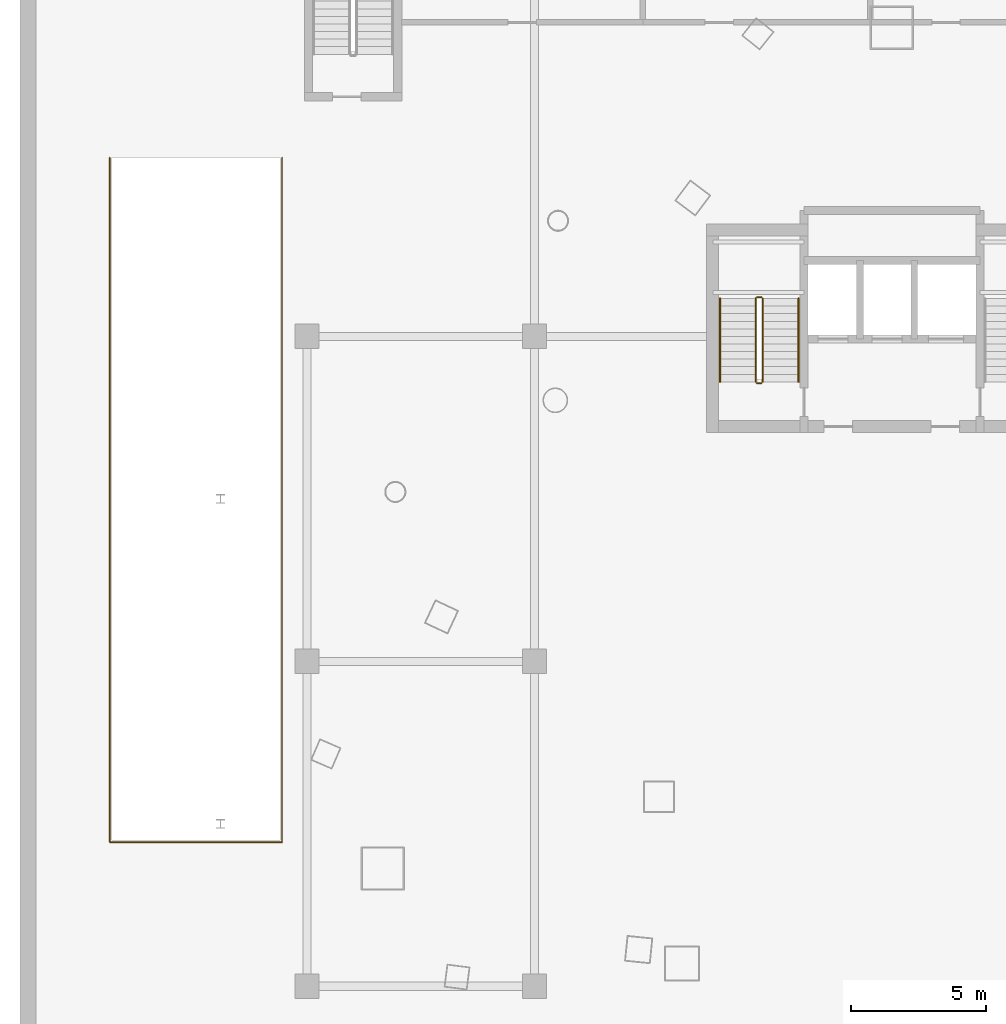
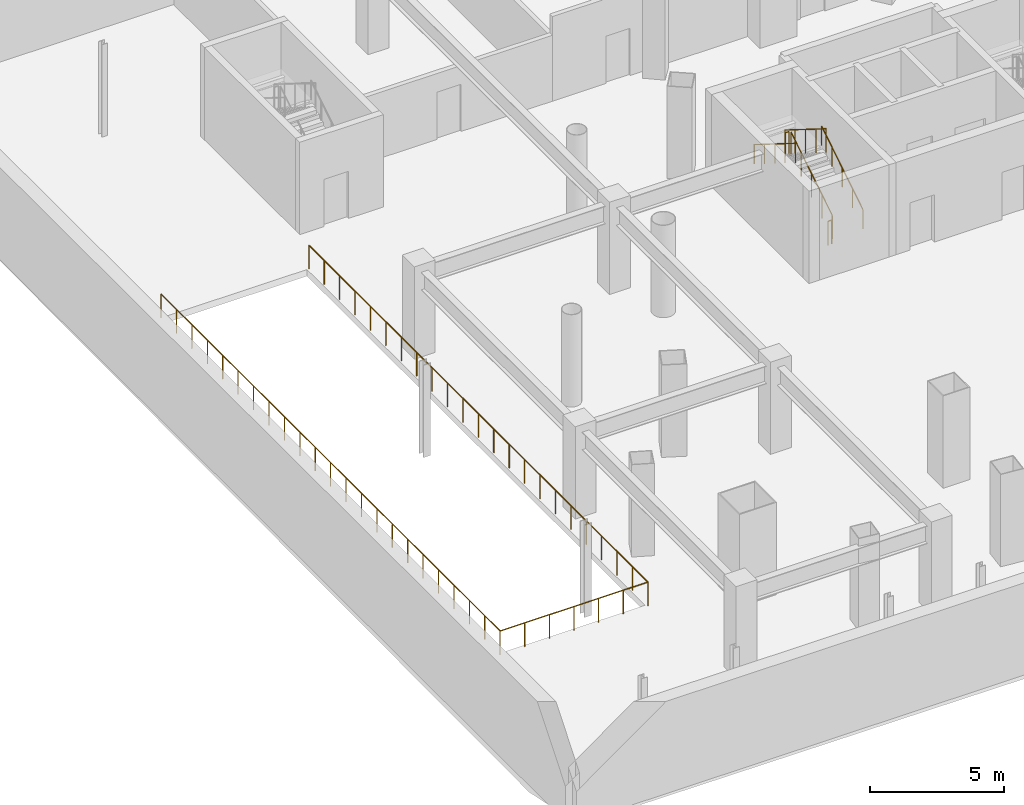
# One storey, part 7 of 10: 7 railings.
"""IFC4 building model written with IfcOpenShell, lengths in metres."""

from ifc_helpers import new_model, si_unit, direction, frame, origin, origin_2d, place, context, subcontext, project, spatial, circle, extrude, material, type_object, element, save


model = new_model("IFC4")

# Units and contexts
model_context = context("Model", 3, precision=1e-05, world=origin(), true_north=direction((0.0, 1.0)))
body_context = subcontext(model_context, "Body", "Model", "MODEL_VIEW")
ifc_project = project(units=[si_unit("LENGTHUNIT", "METRE"), si_unit("AREAUNIT", "SQUARE_METRE"), si_unit("VOLUMEUNIT", "CUBIC_METRE"), si_unit("PLANEANGLEUNIT", "RADIAN"), si_unit("MASSUNIT", "GRAM", prefix="KILO")], contexts=[model_context])

# Site, building, storey
site_placement = place(None, origin())
site = spatial("IfcSite", under=ifc_project, at=site_placement, CompositionType="ELEMENT")
building_placement = place(site_placement, origin())
building = spatial("IfcBuilding", under=site, at=building_placement, Name="Orvanel Arch Residences", CompositionType="ELEMENT")
storey_placement = place(building_placement, frame((0.0, 0.0, -4.199951171875)))
storey = spatial("IfcBuildingStorey", under=building, at=storey_placement, Name="B01", CompositionType="ELEMENT", Elevation=-4.199951171875)

# Railings
ifc_material = material(Name="Structural steel AS/NZS 1163 C350L0 (Grade 350)", Category="steel")
railing_type_1 = type_object("IfcRailingType", Name="RL-RMP-1100", PredefinedType="GUARDRAIL", material=ifc_material)
railing_1_placement = place(storey_placement, frame((4.1201171875, 36.60009765625, 0.0)))
element("IfcRailing", 1, at=railing_1_placement, inside=storey, type_object=railing_type_1, Name="B01 Vehicle Ramp Deck Opening Guardrail", PredefinedType="GUARDRAIL", context=body_context, shape_type="SweptSolid", body=[
    extrude(circle(Radius=0.02392578125, at=origin_2d()), frame((0.0, -0.00146484375, 1.076171875), z_axis=(0.0, -1.0, 0.0), x_axis=(1.0, 0.0, 0.0)), (0.0, 0.0, 1.0), 25.277099609375),
    extrude(circle(Radius=0.02392578125, at=origin_2d()), frame((0.00146484375, -25.280029296875, 1.076171875), z_axis=(1.0, 0.0, 0.0), x_axis=(0.0, 1.0, 0.0)), (0.0, 0.0, 1.0), 6.35693359375),
    extrude(circle(Radius=0.02392578125, at=origin_2d()), frame((6.35986328125, -25.278564453125, 1.076171875), z_axis=(0.0, 1.0, 0.0), x_axis=(-1.0, 0.0, 0.0)), (0.0, 0.0, 1.0), 25.277099609375),
    extrude(circle(Radius=0.02099609375, at=origin_2d()), origin(), (0.0, 0.0, 1.0), 1.050048828125),
    extrude(circle(Radius=0.02099609375, at=origin_2d()), frame((0.0, -1.149169921875, 0.0)), (0.0, 0.0, 1.0), 1.050048828125),
    extrude(circle(Radius=0.02099609375, at=origin_2d()), frame((0.0, -2.298095703125, 0.0)), (0.0, 0.0, 1.0), 1.050048828125),
    extrude(circle(Radius=0.02099609375, at=origin_2d()), frame((0.0, -3.447265625, 0.0)), (0.0, 0.0, 1.0), 1.050048828125),
    extrude(circle(Radius=0.02099609375, at=origin_2d()), frame((0.0, -4.596435546875, 0.0)), (0.0, 0.0, 1.0), 1.050048828125),
    extrude(circle(Radius=0.02099609375, at=origin_2d()), frame((0.0, -5.745361328125, 0.0)), (0.0, 0.0, 1.0), 1.050048828125),
    extrude(circle(Radius=0.02099609375, at=origin_2d()), frame((0.0, -6.89453125, 0.0)), (0.0, 0.0, 1.0), 1.050048828125),
    extrude(circle(Radius=0.02099609375, at=origin_2d()), frame((0.0, -8.043701171875, 0.0)), (0.0, 0.0, 1.0), 1.050048828125),
    extrude(circle(Radius=0.02099609375, at=origin_2d()), frame((0.0, -9.192626953125, 0.0)), (0.0, 0.0, 1.0), 1.050048828125),
    extrude(circle(Radius=0.02099609375, at=origin_2d()), frame((0.0, -10.341796875, 0.0)), (0.0, 0.0, 1.0), 1.050048828125),
    extrude(circle(Radius=0.02099609375, at=origin_2d()), frame((0.0, -11.490966796875, 0.0)), (0.0, 0.0, 1.0), 1.050048828125),
    extrude(circle(Radius=0.02099609375, at=origin_2d()), frame((0.0, -12.64013671875, 0.0)), (0.0, 0.0, 1.0), 1.050048828125),
    extrude(circle(Radius=0.02099609375, at=origin_2d()), frame((0.0, -13.7890625, 0.0)), (0.0, 0.0, 1.0), 1.050048828125),
    extrude(circle(Radius=0.02099609375, at=origin_2d()), frame((0.0, -14.938232421875, 0.0)), (0.0, 0.0, 1.0), 1.050048828125),
    extrude(circle(Radius=0.02099609375, at=origin_2d()), frame((0.0, -16.08740234375, 0.0)), (0.0, 0.0, 1.0), 1.050048828125),
    extrude(circle(Radius=0.02099609375, at=origin_2d()), frame((0.0, -17.236328125, 0.0)), (0.0, 0.0, 1.0), 1.050048828125),
    extrude(circle(Radius=0.02099609375, at=origin_2d()), frame((0.0, -18.385498046875, 0.0)), (0.0, 0.0, 1.0), 1.050048828125),
    extrude(circle(Radius=0.02099609375, at=origin_2d()), frame((0.0, -19.53466796875, 0.0)), (0.0, 0.0, 1.0), 1.050048828125),
    extrude(circle(Radius=0.02099609375, at=origin_2d()), frame((0.0, -20.68359375, 0.0)), (0.0, 0.0, 1.0), 1.050048828125),
    extrude(circle(Radius=0.02099609375, at=origin_2d()), frame((0.0, -21.832763671875, 0.0)), (0.0, 0.0, 1.0), 1.050048828125),
    extrude(circle(Radius=0.02099609375, at=origin_2d()), frame((0.0, -22.98193359375, 0.0)), (0.0, 0.0, 1.0), 1.050048828125),
    extrude(circle(Radius=0.02099609375, at=origin_2d()), frame((0.0, -24.130859375, 0.0)), (0.0, 0.0, 1.0), 1.050048828125),
    extrude(circle(Radius=0.02099609375, at=origin_2d()), frame((0.0, -25.280029296875, 0.0)), (0.0, 0.0, 1.0), 1.050048828125),
    extrude(circle(Radius=0.02099609375, at=origin_2d()), frame((1.06005859375, -25.280029296875, 0.0)), (0.0, 0.0, 1.0), 1.050048828125),
    extrude(circle(Radius=0.02099609375, at=origin_2d()), frame((2.119873046875, -25.280029296875, 0.0)), (0.0, 0.0, 1.0), 1.050048828125),
    extrude(circle(Radius=0.02099609375, at=origin_2d()), frame((3.179931640625, -25.280029296875, 0.0)), (0.0, 0.0, 1.0), 1.050048828125),
    extrude(circle(Radius=0.02099609375, at=origin_2d()), frame((4.239990234375, -25.280029296875, 0.0)), (0.0, 0.0, 1.0), 1.050048828125),
    extrude(circle(Radius=0.02099609375, at=origin_2d()), frame((5.2998046875, -25.280029296875, 0.0)), (0.0, 0.0, 1.0), 1.050048828125),
    extrude(circle(Radius=0.02099609375, at=origin_2d()), frame((6.35986328125, -25.280029296875, 0.0)), (0.0, 0.0, 1.0), 1.050048828125),
    extrude(circle(Radius=0.02099609375, at=origin_2d()), frame((6.35986328125, -24.130859375, 0.0)), (0.0, 0.0, 1.0), 1.050048828125),
    extrude(circle(Radius=0.02099609375, at=origin_2d()), frame((6.35986328125, -22.98193359375, 0.0)), (0.0, 0.0, 1.0), 1.050048828125),
    extrude(circle(Radius=0.02099609375, at=origin_2d()), frame((6.35986328125, -21.832763671875, 0.0)), (0.0, 0.0, 1.0), 1.050048828125),
    extrude(circle(Radius=0.02099609375, at=origin_2d()), frame((6.35986328125, -20.68359375, 0.0)), (0.0, 0.0, 1.0), 1.050048828125),
    extrude(circle(Radius=0.02099609375, at=origin_2d()), frame((6.35986328125, -19.53466796875, 0.0)), (0.0, 0.0, 1.0), 1.050048828125),
    extrude(circle(Radius=0.02099609375, at=origin_2d()), frame((6.35986328125, -18.385498046875, 0.0)), (0.0, 0.0, 1.0), 1.050048828125),
    extrude(circle(Radius=0.02099609375, at=origin_2d()), frame((6.35986328125, -17.236328125, 0.0)), (0.0, 0.0, 1.0), 1.050048828125),
    extrude(circle(Radius=0.02099609375, at=origin_2d()), frame((6.35986328125, -16.08740234375, 0.0)), (0.0, 0.0, 1.0), 1.050048828125),
    extrude(circle(Radius=0.02099609375, at=origin_2d()), frame((6.35986328125, -14.938232421875, 0.0)), (0.0, 0.0, 1.0), 1.050048828125),
    extrude(circle(Radius=0.02099609375, at=origin_2d()), frame((6.35986328125, -13.7890625, 0.0)), (0.0, 0.0, 1.0), 1.050048828125),
    extrude(circle(Radius=0.02099609375, at=origin_2d()), frame((6.35986328125, -12.64013671875, 0.0)), (0.0, 0.0, 1.0), 1.050048828125),
    extrude(circle(Radius=0.02099609375, at=origin_2d()), frame((6.35986328125, -11.490966796875, 0.0)), (0.0, 0.0, 1.0), 1.050048828125),
    extrude(circle(Radius=0.02099609375, at=origin_2d()), frame((6.35986328125, -10.341796875, 0.0)), (0.0, 0.0, 1.0), 1.050048828125),
    extrude(circle(Radius=0.02099609375, at=origin_2d()), frame((6.35986328125, -9.192626953125, 0.0)), (0.0, 0.0, 1.0), 1.050048828125),
    extrude(circle(Radius=0.02099609375, at=origin_2d()), frame((6.35986328125, -8.043701171875, 0.0)), (0.0, 0.0, 1.0), 1.050048828125),
    extrude(circle(Radius=0.02099609375, at=origin_2d()), frame((6.35986328125, -6.89453125, 0.0)), (0.0, 0.0, 1.0), 1.050048828125),
    extrude(circle(Radius=0.02099609375, at=origin_2d()), frame((6.35986328125, -5.745361328125, 0.0)), (0.0, 0.0, 1.0), 1.050048828125),
    extrude(circle(Radius=0.02099609375, at=origin_2d()), frame((6.35986328125, -4.596435546875, 0.0)), (0.0, 0.0, 1.0), 1.050048828125),
    extrude(circle(Radius=0.02099609375, at=origin_2d()), frame((6.35986328125, -3.447265625, 0.0)), (0.0, 0.0, 1.0), 1.050048828125),
    extrude(circle(Radius=0.02099609375, at=origin_2d()), frame((6.35986328125, -2.298095703125, 0.0)), (0.0, 0.0, 1.0), 1.050048828125),
    extrude(circle(Radius=0.02099609375, at=origin_2d()), frame((6.35986328125, -1.149169921875, 0.0)), (0.0, 0.0, 1.0), 1.050048828125),
    extrude(circle(Radius=0.02099609375, at=origin_2d()), frame((6.35986328125, 0.0, 0.0)), (0.0, 0.0, 1.0), 1.050048828125),
])
railing_type_2 = type_object("IfcRailingType", Name="RL-STAIR-GUARD", PredefinedType="GUARDRAIL", material=ifc_material)
railing_2_placement = place(storey_placement, frame((28.22998046875, 28.320068359375, 0.175048828125)))
element("IfcRailing", 2, at=railing_2_placement, inside=storey, type_object=railing_type_2, Name="B01 ST-1 stair guard 1", PredefinedType="GUARDRAIL", context=body_context, shape_type="SweptSolid", body=[
    extrude(circle(Radius=0.02392578125, at=origin_2d()), frame((0.0, 0.001220703125, 1.076904296875), z_axis=(0.0, 0.848009633417, 0.529980812513), x_axis=(-1.0, 0.0, 0.0)), (0.0, 0.0, 1.0), 3.62890625),
    extrude(circle(Radius=0.02099609375, at=origin_2d()), origin(), (0.0, 0.0, 1.0), 1.050048828125),
    extrude(circle(Radius=0.02099609375, at=origin_2d()), frame((0.0, 0.77001953125, 0.481201171875)), (0.0, 0.0, 1.0), 1.050048828125),
    extrude(circle(Radius=0.02099609375, at=origin_2d()), frame((0.0, 1.5400390625, 0.96240234375)), (0.0, 0.0, 1.0), 1.050048828125),
    extrude(circle(Radius=0.02099609375, at=origin_2d()), frame((0.0, 2.309814453125, 1.443603515625)), (0.0, 0.0, 1.0), 1.050048828125),
    extrude(circle(Radius=0.02099609375, at=origin_2d()), frame((0.0, 3.079833984375, 1.9248046875)), (0.0, 0.0, 1.0), 1.050048828125),
])
railing_3_placement = place(storey_placement, frame((28.179931640625, 31.449951171875, 2.099853515625)))
element("IfcRailing", 3, at=railing_3_placement, inside=storey, type_object=railing_type_2, Name="B01 ST-1 stair guard 2", PredefinedType="GUARDRAIL", context=body_context, shape_type="SweptSolid", body=[
    extrude(circle(Radius=0.02392578125, at=origin_2d()), frame((-0.00146484375, 0.0, 1.076171875), z_axis=(-1.0, 0.0, 0.0), x_axis=(0.0, -1.0, 0.0)), (0.0, 0.0, 1.0), 0.156982421875),
    extrude(circle(Radius=0.02099609375, at=origin_2d()), origin(), (0.0, 0.0, 1.0), 1.050048828125),
    extrude(circle(Radius=0.02099609375, at=origin_2d()), frame((-0.159912109375, 0.0, 0.0)), (0.0, 0.0, 1.0), 1.050048828125),
])
railing_4_placement = place(storey_placement, frame((27.969970703125, 31.39990234375, 2.27490234375)))
element("IfcRailing", 4, at=railing_4_placement, inside=storey, type_object=railing_type_2, Name="B01 ST-1 stair guard 3", PredefinedType="GUARDRAIL", context=body_context, shape_type="SweptSolid", body=[
    extrude(circle(Radius=0.02392578125, at=origin_2d()), frame((0.0, -0.001220703125, 1.076904296875), z_axis=(0.0, -0.847979421464, 0.530029150871), x_axis=(1.0, 0.0, 0.0)), (0.0, 0.0, 1.0), 3.62890625),
    extrude(circle(Radius=0.02099609375, at=origin_2d()), origin(), (0.0, 0.0, 1.0), 1.050048828125),
    extrude(circle(Radius=0.02099609375, at=origin_2d()), frame((0.0, -0.77001953125, 0.481201171875)), (0.0, 0.0, 1.0), 1.050048828125),
    extrude(circle(Radius=0.02099609375, at=origin_2d()), frame((0.0, -1.5400390625, 0.96240234375)), (0.0, 0.0, 1.0), 1.050048828125),
    extrude(circle(Radius=0.02099609375, at=origin_2d()), frame((0.0, -2.309814453125, 1.44384765625)), (0.0, 0.0, 1.0), 1.050048828125),
    extrude(circle(Radius=0.02099609375, at=origin_2d()), frame((0.0, -3.079833984375, 1.925048828125)), (0.0, 0.0, 1.0), 1.050048828125),
])
railing_5_placement = place(storey_placement, frame((28.179931640625, 28.27001953125, 0.0)))
element("IfcRailing", 5, at=railing_5_placement, inside=storey, type_object=railing_type_2, Name="B01 ST-1 stair guard 4", PredefinedType="GUARDRAIL", context=body_context, shape_type="SweptSolid", body=[
    extrude(circle(Radius=0.02392578125, at=origin_2d()), frame((-0.00146484375, 0.0, 1.076171875), z_axis=(-1.0, 0.0, 0.0), x_axis=(0.0, -1.0, 0.0)), (0.0, 0.0, 1.0), 0.156982421875),
    extrude(circle(Radius=0.02099609375, at=origin_2d()), origin(), (0.0, 0.0, 1.0), 1.050048828125),
    extrude(circle(Radius=0.02099609375, at=origin_2d()), frame((-0.159912109375, 0.0, 0.0)), (0.0, 0.0, 1.0), 1.050048828125),
])
railing_type_3 = type_object("IfcRailingType", Name="RL-STAIR-HAND", PredefinedType="HANDRAIL", material=ifc_material)
railing_6_placement = place(storey_placement, frame((29.550048828125, 28.320068359375, 0.175048828125)))
element("IfcRailing", 6, at=railing_6_placement, inside=storey, type_object=railing_type_3, Name="B01 ST-1 stair handrail 1", PredefinedType="HANDRAIL", context=body_context, shape_type="SweptSolid", body=[
    extrude(circle(Radius=0.02392578125, at=origin_2d()), frame((0.0, 0.001220703125, 0.876708984375), z_axis=(0.0, 0.848009633417, 0.529980812513), x_axis=(-1.0, 0.0, 0.0)), (0.0, 0.0, 1.0), 3.62890625),
    extrude(circle(Radius=0.02099609375, at=origin_2d()), origin(), (0.0, 0.0, 1.0), 0.849853515625),
    extrude(circle(Radius=0.02099609375, at=origin_2d()), frame((0.0, 0.77001953125, 0.481201171875)), (0.0, 0.0, 1.0), 0.849853515625),
    extrude(circle(Radius=0.02099609375, at=origin_2d()), frame((0.0, 1.5400390625, 0.96240234375)), (0.0, 0.0, 1.0), 0.849853515625),
    extrude(circle(Radius=0.02099609375, at=origin_2d()), frame((0.0, 2.309814453125, 1.443603515625)), (0.0, 0.0, 1.0), 0.849853515625),
    extrude(circle(Radius=0.02099609375, at=origin_2d()), frame((0.0, 3.079833984375, 1.9248046875)), (0.0, 0.0, 1.0), 0.849853515625),
])
railing_7_placement = place(storey_placement, frame((26.64990234375, 31.39990234375, 2.27490234375)))
element("IfcRailing", 7, at=railing_7_placement, inside=storey, type_object=railing_type_3, Name="B01 ST-1 stair handrail 2", PredefinedType="HANDRAIL", context=body_context, shape_type="SweptSolid", body=[
    extrude(circle(Radius=0.02392578125, at=origin_2d()), frame((0.0, -0.001220703125, 0.876708984375), z_axis=(0.0, -0.847979421464, 0.530029150871), x_axis=(1.0, 0.0, 0.0)), (0.0, 0.0, 1.0), 3.62890625),
    extrude(circle(Radius=0.02099609375, at=origin_2d()), origin(), (0.0, 0.0, 1.0), 0.849853515625),
    extrude(circle(Radius=0.02099609375, at=origin_2d()), frame((0.0, -0.77001953125, 0.481201171875)), (0.0, 0.0, 1.0), 0.849853515625),
    extrude(circle(Radius=0.02099609375, at=origin_2d()), frame((0.0, -1.5400390625, 0.96240234375)), (0.0, 0.0, 1.0), 0.849853515625),
    extrude(circle(Radius=0.02099609375, at=origin_2d()), frame((0.0, -2.309814453125, 1.44384765625)), (0.0, 0.0, 1.0), 0.849853515625),
    extrude(circle(Radius=0.02099609375, at=origin_2d()), frame((0.0, -3.079833984375, 1.925048828125)), (0.0, 0.0, 1.0), 0.849853515625),
])

save(model, "model.ifc")
